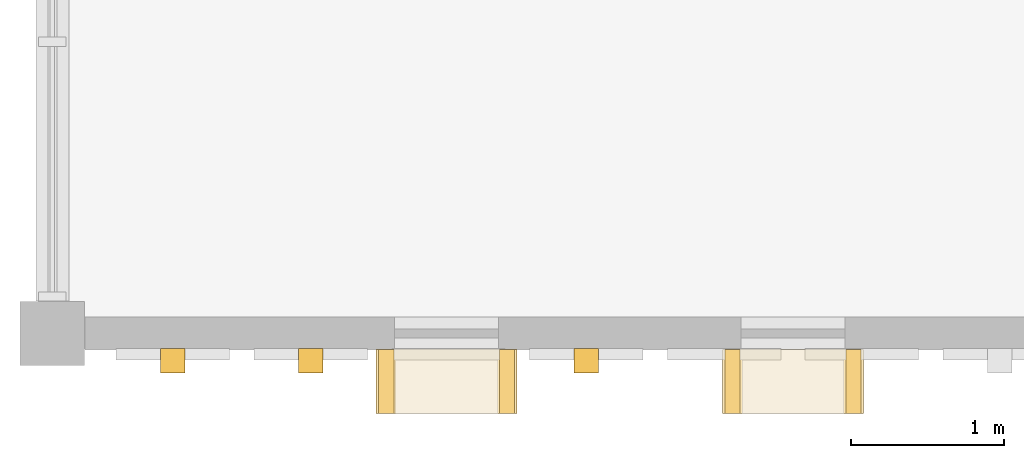
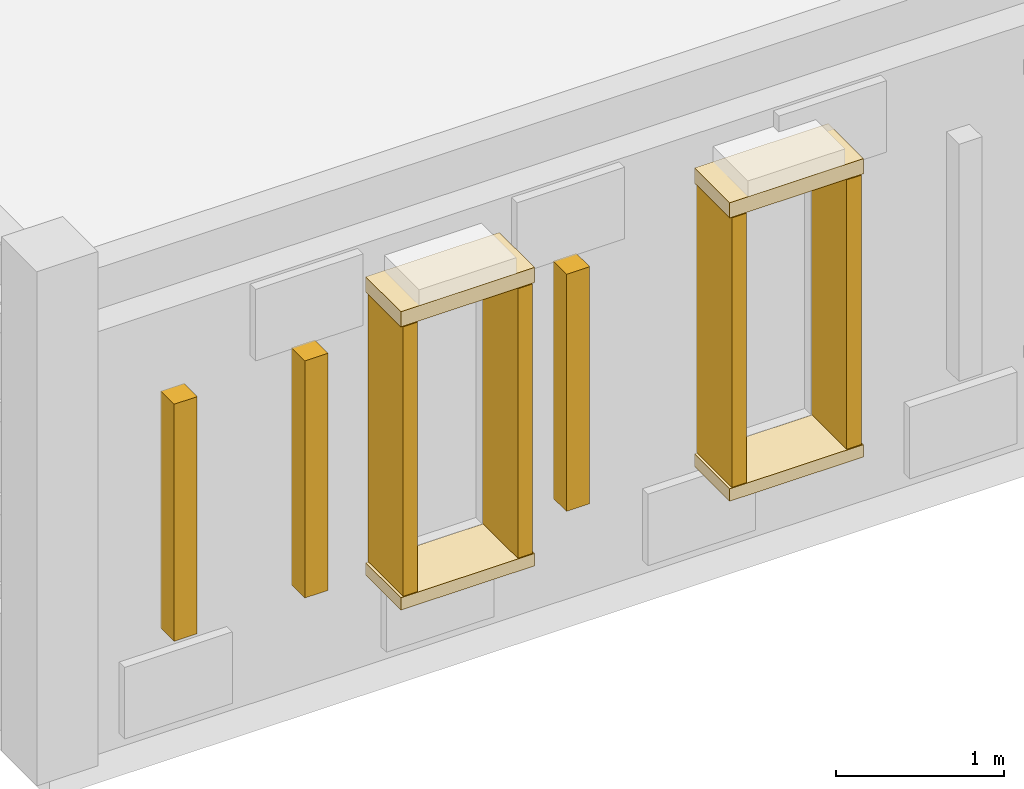
# One storey, part 19 of 25: 11 coverings.
"""IFC4 building model written with IfcOpenShell, lengths in metres."""

from ifc_helpers import new_model, si_unit, direction, frame, origin, origin_2d, place, context, subcontext, project, spatial, rectangle, extrude, material, layer, layer_set, type_object, element, save


model = new_model("IFC4")

# Units and contexts
model_context = context("Model", 3, precision=1e-05, world=origin(), true_north=direction((0.0, 1.0)))
body_context = subcontext(model_context, "Body", "Model", "MODEL_VIEW")
ifc_project = project(units=[si_unit("LENGTHUNIT", "METRE"), si_unit("AREAUNIT", "SQUARE_METRE"), si_unit("VOLUMEUNIT", "CUBIC_METRE"), si_unit("PLANEANGLEUNIT", "RADIAN"), si_unit("MASSUNIT", "GRAM", prefix="KILO")], contexts=[model_context])

# Site, building, storey
site_placement = place(None, origin())
site = spatial("IfcSite", under=ifc_project, at=site_placement, CompositionType="ELEMENT")
building_placement = place(site_placement, origin())
building = spatial("IfcBuilding", under=site, at=building_placement, Name="Nzembalo Square Collegiate School", CompositionType="ELEMENT")
storey_placement = place(building_placement, frame((0.0, 0.0, 21.080078125)))
storey = spatial("IfcBuildingStorey", under=building, at=storey_placement, Name="L05", CompositionType="ELEMENT", Elevation=21.080078125)

# Coverings
ifc_material_1 = material(Name="Glazed ochre ceramic lancet rib")
ifc_layer_1 = layer(ifc_material_1, 0.159912109375, Name="Glazed ochre ceramic lancet rib")
ifc_layer_set_1 = layer_set([ifc_layer_1], Name="Glazed ochre ceramic lancet rib")
covering_type_1 = type_object("IfcCoveringType", Name="CL02", PredefinedType="CLADDING", material=ifc_layer_set_1)
for number, where, z_axis, x_axis, name in (
    (1, (131.586669921875, 8.222412109375, 0.759765625), (0.0, 0.0, 1.0), (1.0, 0.0, 0.0), "Gothic ceramic rib CL02-X0291-0"),
    (2, (132.48681640625, 8.222412109375, 0.759765625), (0.0, 0.0, 1.0), (1.0, 0.0, 0.0), "Gothic ceramic rib CL02-X0291-1"),
    (3, (134.28662109375, 8.222412109375, 0.759765625), (0.0, 0.0, 1.0), (1.0, 0.0, 0.0), "Gothic ceramic rib CL02-X0291-3"),
):
    element("IfcCovering", number, at=place(storey_placement, frame(where, z_axis=z_axis, x_axis=x_axis)), inside=storey, type_object=covering_type_1, Name=name, PredefinedType="CLADDING", context=body_context, shape_type="SweptSolid", body=[
        extrude(rectangle(XDim=0.159912109375, YDim=0.159912109375, at=origin_2d()), origin(), (0.0, 0.0, 1.0), 1.72412109375),
    ])
ifc_material_2 = material(Name="Glazed celadon ceramic window frame")
ifc_layer_2 = layer(ifc_material_2, 0.419921875, Name="Glazed celadon ceramic window frame")
ifc_layer_set_2 = layer_set([ifc_layer_2], Name="Glazed celadon ceramic window frame")
covering_type_2 = type_object("IfcCoveringType", Name="WF01", PredefinedType="CLADDING", material=ifc_layer_set_2)
covering_1_placement = place(storey_placement, frame((133.37451171875, 8.08740234375, 2.71484375), z_axis=(0.0, 0.0, 1.0), x_axis=(1.0, 0.0, 0.0)))
element("IfcCovering", 4, at=covering_1_placement, inside=storey, type_object=covering_type_2, Name="Deep lancet window hood WF01-1095", PredefinedType="CLADDING", context=body_context, shape_type="SweptSolid", body=[
    extrude(rectangle(XDim=0.919921875, YDim=0.419921875, at=origin_2d()), origin(), (0.0, 0.0, 1.0), 0.110107421875),
])
covering_2_placement = place(storey_placement, frame((133.37451171875, 8.08740234375, 0.65478515625), z_axis=(0.0, 0.0, 1.0), x_axis=(1.0, 0.0, 0.0)))
element("IfcCovering", 5, at=covering_2_placement, inside=storey, type_object=covering_type_2, Name="Deep lancet window sill WF01-1095", PredefinedType="CLADDING", context=body_context, shape_type="SweptSolid", body=[
    extrude(rectangle(XDim=0.919921875, YDim=0.419921875, at=origin_2d()), origin(), (0.0, 0.0, 1.0), 0.090087890625),
])
for number, where, z_axis, x_axis, name in (
    (6, (132.9794921875, 8.08740234375, 0.75), (0.0, 0.0, 1.0), (1.0, 0.0, 0.0), "Deep lancet window jamb WF01-1095L"),
    (7, (133.769287109375, 8.08740234375, 0.75), (0.0, 0.0, 1.0), (1.0, 0.0, 0.0), "Deep lancet window jamb WF01-1095R"),
):
    element("IfcCovering", number, at=place(storey_placement, frame(where, z_axis=z_axis, x_axis=x_axis)), inside=storey, type_object=covering_type_2, Name=name, PredefinedType="CLADDING", context=body_context, shape_type="SweptSolid", body=[
        extrude(rectangle(XDim=0.10009765625, YDim=0.419921875, at=origin_2d()), origin(), (0.0, 0.0, 1.0), 1.9599609375),
    ])
covering_3_placement = place(storey_placement, frame((135.63671875, 8.08740234375, 2.71484375), z_axis=(0.0, 0.0, 1.0), x_axis=(1.0, 0.0, 0.0)))
element("IfcCovering", 8, at=covering_3_placement, inside=storey, type_object=covering_type_2, Name="Deep lancet window hood WF01-1096", PredefinedType="CLADDING", context=body_context, shape_type="SweptSolid", body=[
    extrude(rectangle(XDim=0.919921875, YDim=0.419921875, at=origin_2d()), origin(), (0.0, 0.0, 1.0), 0.110107421875),
])
covering_4_placement = place(storey_placement, frame((135.63671875, 8.08740234375, 0.65478515625), z_axis=(0.0, 0.0, 1.0), x_axis=(1.0, 0.0, 0.0)))
element("IfcCovering", 9, at=covering_4_placement, inside=storey, type_object=covering_type_2, Name="Deep lancet window sill WF01-1096", PredefinedType="CLADDING", context=body_context, shape_type="SweptSolid", body=[
    extrude(rectangle(XDim=0.919921875, YDim=0.419921875, at=origin_2d()), origin(), (0.0, 0.0, 1.0), 0.090087890625),
])
for number, where, z_axis, x_axis, name in (
    (10, (135.24169921875, 8.08740234375, 0.75), (0.0, 0.0, 1.0), (1.0, 0.0, 0.0), "Deep lancet window jamb WF01-1096L"),
    (11, (136.03173828125, 8.08740234375, 0.75), (0.0, 0.0, 1.0), (1.0, 0.0, 0.0), "Deep lancet window jamb WF01-1096R"),
):
    element("IfcCovering", number, at=place(storey_placement, frame(where, z_axis=z_axis, x_axis=x_axis)), inside=storey, type_object=covering_type_2, Name=name, PredefinedType="CLADDING", context=body_context, shape_type="SweptSolid", body=[
        extrude(rectangle(XDim=0.10009765625, YDim=0.419921875, at=origin_2d()), origin(), (0.0, 0.0, 1.0), 1.9599609375),
    ])

save(model, "model.ifc")
